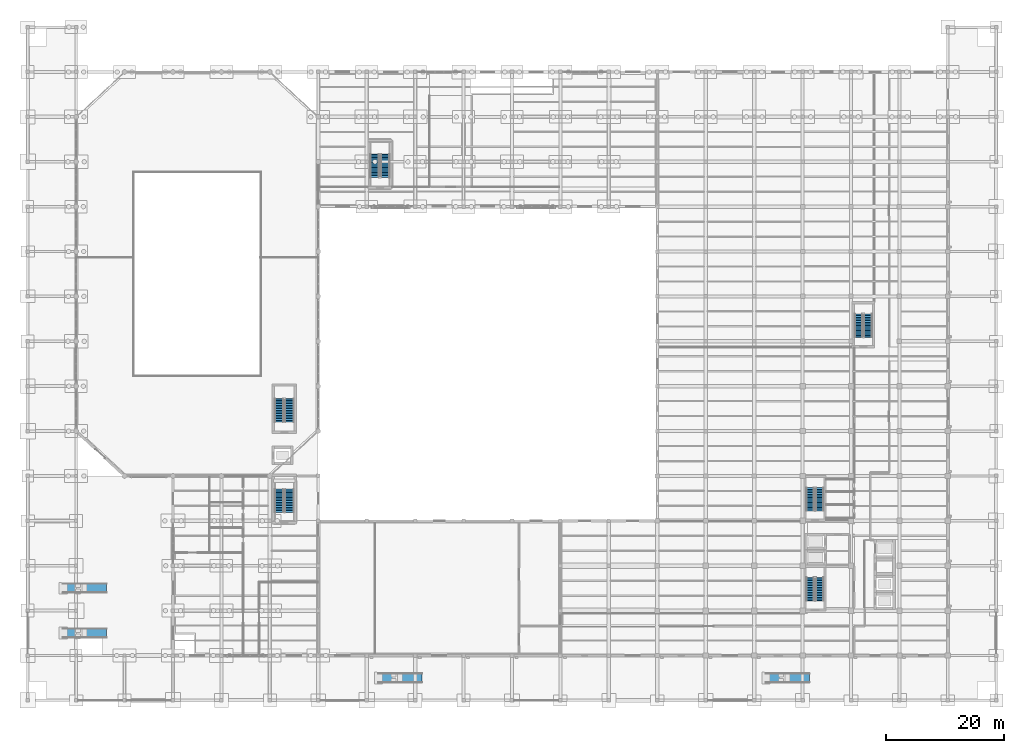
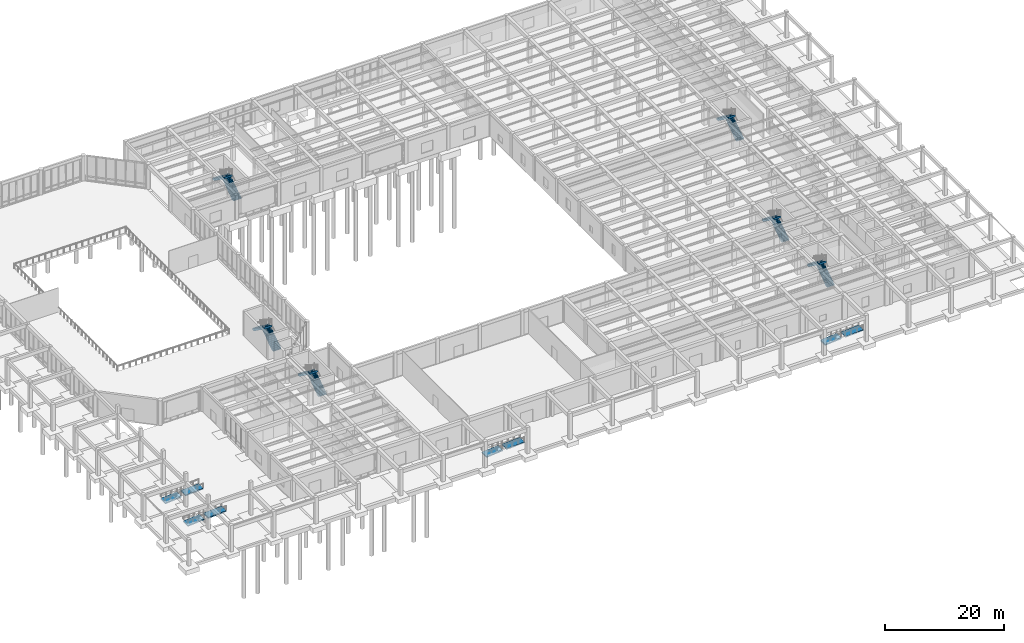
# One storey, part 50 of 64: 12 stair flights, 8 ramp flights, 10 elements without a shape of their own.
"""IFC4 building model written with IfcOpenShell, lengths in metres."""

from ifc_helpers import new_model, si_unit, direction, frame, origin, place, context, subcontext, project, spatial, polyline, outline, extrude, material, layer, layer_set, type_object, element, aggregate, save


model = new_model("IFC4")

# Units and contexts
model_context = context("Model", 3, precision=1e-05, world=origin(), true_north=direction((0.0, 1.0)))
body_context = subcontext(model_context, "Body", "Model", "MODEL_VIEW")
ifc_project = project(units=[si_unit("LENGTHUNIT", "METRE"), si_unit("AREAUNIT", "SQUARE_METRE"), si_unit("VOLUMEUNIT", "CUBIC_METRE"), si_unit("PLANEANGLEUNIT", "RADIAN"), si_unit("MASSUNIT", "GRAM", prefix="KILO")], contexts=[model_context])

# Site, building, storey
site_placement = place(None, origin())
site = spatial("IfcSite", under=ifc_project, at=site_placement, CompositionType="ELEMENT")
building_placement = place(site_placement, origin())
building = spatial("IfcBuilding", under=site, at=building_placement, Name="Qandaris Square Conservatory and Botanical Centre", CompositionType="ELEMENT")
storey_placement = place(building_placement, origin())
storey = spatial("IfcBuildingStorey", under=building, at=storey_placement, Name="L00", CompositionType="ELEMENT", Elevation=0.0)

# Stair, stair flights
ifc_material_1 = material(Name="Concrete C40/50", Category="concrete")
stair_type_1 = type_object("IfcStairType", Name="Core Escape Scissor Stair", PredefinedType="HALF_TURN_STAIR", material=ifc_material_1)
stair_1_placement = place(storey_placement, origin())
stair_1 = element("IfcStair", 1, at=stair_1_placement, inside=storey, type_object=stair_type_1, Name="L00 Tower South Exit Stair ST-1", PredefinedType="HALF_TURN_STAIR")
ifc_material_2 = material(Name="Precast concrete C40/50", Category="concrete")
stair_flight_type_1 = type_object("IfcStairFlightType", Name="RC Precast Stair Flight 1400mm", PredefinedType="STRAIGHT", material=ifc_material_2)
stair_flight_1_placement = place(storey_placement, frame((142.10009765625, 25.89990234375, 0.0), z_axis=(0.0, 0.0, 1.0), x_axis=(0.0, 1.0, 0.0)))
stair_flight_1 = element("IfcStairFlight", 2, at=stair_flight_1_placement, type_object=stair_flight_type_1, Name="ST-1 flight 1", NumberOfRisers=15, NumberOfTreads=14, PredefinedType="STRAIGHT", RiserHeight=0.18, TreadLength=0.28, context=body_context, shape_type="SweptSolid", body=[
    extrude(outline(polyline([(-0.034912109375, 0.0), (0.0, 0.0), (0.0, 0.179931640625), (0.280029296875, 0.179931640625), (0.280029296875, 0.360107421875), (0.56005859375, 0.360107421875), (0.56005859375, 0.5400390625), (0.840087890625, 0.5400390625), (0.840087890625, 0.719970703125), (1.1201171875, 0.719970703125), (1.1201171875, 0.89990234375), (1.39990234375, 0.89990234375), (1.39990234375, 1.080078125), (1.679931640625, 1.080078125), (1.679931640625, 1.260009765625), (1.9599609375, 1.260009765625), (1.9599609375, 1.43994140625), (2.239990234375, 1.43994140625), (2.239990234375, 1.6201171875), (2.52001953125, 1.6201171875), (2.52001953125, 1.800048828125), (2.800048828125, 1.800048828125), (2.800048828125, 1.97998046875), (3.080078125, 1.97998046875), (3.080078125, 2.159912109375), (3.360107421875, 2.159912109375), (3.360107421875, 2.340087890625), (3.639892578125, 2.340087890625), (3.639892578125, 2.52001953125), (3.919921875, 2.52001953125), (3.919921875, 2.699951171875), (3.954833984375, 2.699951171875), (3.954833984375, 2.341796875), (3.919921875, 2.341796875), (0.494873046875, -0.139892578125), (-0.034912109375, -0.139892578125), (-0.034912109375, 0.0)])), frame((0.0, 0.699951171875, 0.0), z_axis=(0.0, -1.0, 0.0), x_axis=(1.0, 0.0, 0.0)), (0.0, 0.0, 1.0), 1.39990234375),
])
stair_flight_2_placement = place(storey_placement, frame((140.5, 29.820068359375, 2.699951171875), z_axis=(0.0, 0.0, 1.0), x_axis=(0.0, -1.0, 0.0)))
stair_flight_2 = element("IfcStairFlight", 3, at=stair_flight_2_placement, type_object=stair_flight_type_1, Name="ST-1 flight 2", NumberOfRisers=15, NumberOfTreads=14, PredefinedType="STRAIGHT", RiserHeight=0.18, TreadLength=0.28, context=body_context, shape_type="SweptSolid", body=[
    extrude(outline(polyline([(-0.034912109375, 0.0), (0.0, 0.0), (0.0, 0.179931640625), (0.280029296875, 0.179931640625), (0.280029296875, 0.360107421875), (0.56005859375, 0.360107421875), (0.56005859375, 0.5400390625), (0.840087890625, 0.5400390625), (0.840087890625, 0.719970703125), (1.1201171875, 0.719970703125), (1.1201171875, 0.89990234375), (1.39990234375, 0.89990234375), (1.39990234375, 1.080078125), (1.679931640625, 1.080078125), (1.679931640625, 1.260009765625), (1.9599609375, 1.260009765625), (1.9599609375, 1.43994140625), (2.239990234375, 1.43994140625), (2.239990234375, 1.6201171875), (2.52001953125, 1.6201171875), (2.52001953125, 1.800048828125), (2.800048828125, 1.800048828125), (2.800048828125, 1.97998046875), (3.080078125, 1.97998046875), (3.080078125, 2.159912109375), (3.360107421875, 2.159912109375), (3.360107421875, 2.340087890625), (3.639892578125, 2.340087890625), (3.639892578125, 2.52001953125), (3.919921875, 2.52001953125), (3.919921875, 2.699951171875), (3.954833984375, 2.699951171875), (3.954833984375, 2.341796875), (3.919921875, 2.341796875), (0.494873046875, -0.139892578125), (-0.034912109375, -0.139892578125), (-0.034912109375, 0.0)])), frame((0.0, 0.699951171875, 0.0), z_axis=(0.0, -1.0, 0.0), x_axis=(1.0, 0.0, 0.0)), (0.0, 0.0, 1.0), 1.39990234375),
])
aggregate(stair_1, [stair_flight_1, stair_flight_2])

stair_2_placement = place(storey_placement, origin())
stair_2 = element("IfcStair", 4, at=stair_2_placement, inside=storey, type_object=stair_type_1, Name="L00 Tower North Exit Stair ST-2", PredefinedType="HALF_TURN_STAIR")
stair_flight_3_placement = place(storey_placement, frame((142.10009765625, 41.10009765625, 0.0), z_axis=(0.0, 0.0, 1.0), x_axis=(0.0, 1.0, 0.0)))
stair_flight_3 = element("IfcStairFlight", 5, at=stair_flight_3_placement, type_object=stair_flight_type_1, Name="ST-2 flight 1", NumberOfRisers=15, NumberOfTreads=14, PredefinedType="STRAIGHT", RiserHeight=0.18, TreadLength=0.28, context=body_context, shape_type="SweptSolid", body=[
    extrude(outline(polyline([(-0.034912109375, 0.0), (0.0, 0.0), (0.0, 0.179931640625), (0.280029296875, 0.179931640625), (0.280029296875, 0.360107421875), (0.56005859375, 0.360107421875), (0.56005859375, 0.5400390625), (0.840087890625, 0.5400390625), (0.840087890625, 0.719970703125), (1.1201171875, 0.719970703125), (1.1201171875, 0.89990234375), (1.39990234375, 0.89990234375), (1.39990234375, 1.080078125), (1.679931640625, 1.080078125), (1.679931640625, 1.260009765625), (1.9599609375, 1.260009765625), (1.9599609375, 1.43994140625), (2.239990234375, 1.43994140625), (2.239990234375, 1.6201171875), (2.52001953125, 1.6201171875), (2.52001953125, 1.800048828125), (2.800048828125, 1.800048828125), (2.800048828125, 1.97998046875), (3.080078125, 1.97998046875), (3.080078125, 2.159912109375), (3.360107421875, 2.159912109375), (3.360107421875, 2.340087890625), (3.639892578125, 2.340087890625), (3.639892578125, 2.52001953125), (3.919921875, 2.52001953125), (3.919921875, 2.699951171875), (3.954833984375, 2.699951171875), (3.954833984375, 2.341796875), (3.919921875, 2.341796875), (0.494873046875, -0.139892578125), (-0.034912109375, -0.139892578125), (-0.034912109375, 0.0)])), frame((0.0, 0.699951171875, 0.0), z_axis=(0.0, -1.0, 0.0), x_axis=(1.0, 0.0, 0.0)), (0.0, 0.0, 1.0), 1.39990234375),
])
stair_flight_4_placement = place(storey_placement, frame((140.5, 45.02001953125, 2.699951171875), z_axis=(0.0, 0.0, 1.0), x_axis=(0.0, -1.0, 0.0)))
stair_flight_4 = element("IfcStairFlight", 6, at=stair_flight_4_placement, type_object=stair_flight_type_1, Name="ST-2 flight 2", NumberOfRisers=15, NumberOfTreads=14, PredefinedType="STRAIGHT", RiserHeight=0.18, TreadLength=0.28, context=body_context, shape_type="SweptSolid", body=[
    extrude(outline(polyline([(-0.034912109375, 0.0), (0.0, 0.0), (0.0, 0.179931640625), (0.280029296875, 0.179931640625), (0.280029296875, 0.360107421875), (0.56005859375, 0.360107421875), (0.56005859375, 0.5400390625), (0.840087890625, 0.5400390625), (0.840087890625, 0.719970703125), (1.1201171875, 0.719970703125), (1.1201171875, 0.89990234375), (1.39990234375, 0.89990234375), (1.39990234375, 1.080078125), (1.679931640625, 1.080078125), (1.679931640625, 1.260009765625), (1.9599609375, 1.260009765625), (1.9599609375, 1.43994140625), (2.239990234375, 1.43994140625), (2.239990234375, 1.6201171875), (2.52001953125, 1.6201171875), (2.52001953125, 1.800048828125), (2.800048828125, 1.800048828125), (2.800048828125, 1.97998046875), (3.080078125, 1.97998046875), (3.080078125, 2.159912109375), (3.360107421875, 2.159912109375), (3.360107421875, 2.340087890625), (3.639892578125, 2.340087890625), (3.639892578125, 2.52001953125), (3.919921875, 2.52001953125), (3.919921875, 2.699951171875), (3.954833984375, 2.699951171875), (3.954833984375, 2.341796875), (3.919921875, 2.341796875), (0.494873046875, -0.139892578125), (-0.034912109375, -0.139892578125), (-0.034912109375, 0.0)])), frame((0.0, 0.699951171875, 0.0), z_axis=(0.0, -1.0, 0.0), x_axis=(1.0, 0.0, 0.0)), (0.0, 0.0, 1.0), 1.39990234375),
])
aggregate(stair_2, [stair_flight_3, stair_flight_4])

stair_3_placement = place(storey_placement, origin())
stair_3 = element("IfcStair", 7, at=stair_3_placement, inside=storey, type_object=stair_type_1, Name="L00 Herbarium North Exit Stair ST-3", PredefinedType="HALF_TURN_STAIR")
stair_flight_5_placement = place(storey_placement, frame((150.300048828125, 70.5, 0.0), z_axis=(0.0, 0.0, 1.0), x_axis=(0.0, 1.0, 0.0)))
stair_flight_5 = element("IfcStairFlight", 8, at=stair_flight_5_placement, type_object=stair_flight_type_1, Name="ST-3 flight 1", NumberOfRisers=15, NumberOfTreads=14, PredefinedType="STRAIGHT", RiserHeight=0.18, TreadLength=0.28, context=body_context, shape_type="SweptSolid", body=[
    extrude(outline(polyline([(-0.034912109375, 0.0), (0.0, 0.0), (0.0, 0.179931640625), (0.280029296875, 0.179931640625), (0.280029296875, 0.360107421875), (0.56005859375, 0.360107421875), (0.56005859375, 0.5400390625), (0.840087890625, 0.5400390625), (0.840087890625, 0.719970703125), (1.1201171875, 0.719970703125), (1.1201171875, 0.89990234375), (1.39990234375, 0.89990234375), (1.39990234375, 1.080078125), (1.679931640625, 1.080078125), (1.679931640625, 1.260009765625), (1.9599609375, 1.260009765625), (1.9599609375, 1.43994140625), (2.239990234375, 1.43994140625), (2.239990234375, 1.6201171875), (2.52001953125, 1.6201171875), (2.52001953125, 1.800048828125), (2.800048828125, 1.800048828125), (2.800048828125, 1.97998046875), (3.080078125, 1.97998046875), (3.080078125, 2.159912109375), (3.360107421875, 2.159912109375), (3.360107421875, 2.340087890625), (3.639892578125, 2.340087890625), (3.639892578125, 2.52001953125), (3.919921875, 2.52001953125), (3.919921875, 2.699951171875), (3.954833984375, 2.699951171875), (3.954833984375, 2.341796875), (3.919921875, 2.341796875), (0.494873046875, -0.139892578125), (-0.034912109375, -0.139892578125), (-0.034912109375, 0.0)])), frame((0.0, 0.699951171875, 0.0), z_axis=(0.0, -1.0, 0.0), x_axis=(1.0, 0.0, 0.0)), (0.0, 0.0, 1.0), 1.39990234375),
])
stair_flight_6_placement = place(storey_placement, frame((148.699951171875, 74.419921875, 2.699951171875), z_axis=(0.0, 0.0, 1.0), x_axis=(0.0, -1.0, 0.0)))
stair_flight_6 = element("IfcStairFlight", 9, at=stair_flight_6_placement, type_object=stair_flight_type_1, Name="ST-3 flight 2", NumberOfRisers=15, NumberOfTreads=14, PredefinedType="STRAIGHT", RiserHeight=0.18, TreadLength=0.28, context=body_context, shape_type="SweptSolid", body=[
    extrude(outline(polyline([(-0.034912109375, 0.0), (0.0, 0.0), (0.0, 0.179931640625), (0.280029296875, 0.179931640625), (0.280029296875, 0.360107421875), (0.56005859375, 0.360107421875), (0.56005859375, 0.5400390625), (0.840087890625, 0.5400390625), (0.840087890625, 0.719970703125), (1.1201171875, 0.719970703125), (1.1201171875, 0.89990234375), (1.39990234375, 0.89990234375), (1.39990234375, 1.080078125), (1.679931640625, 1.080078125), (1.679931640625, 1.260009765625), (1.9599609375, 1.260009765625), (1.9599609375, 1.43994140625), (2.239990234375, 1.43994140625), (2.239990234375, 1.6201171875), (2.52001953125, 1.6201171875), (2.52001953125, 1.800048828125), (2.800048828125, 1.800048828125), (2.800048828125, 1.97998046875), (3.080078125, 1.97998046875), (3.080078125, 2.159912109375), (3.360107421875, 2.159912109375), (3.360107421875, 2.340087890625), (3.639892578125, 2.340087890625), (3.639892578125, 2.52001953125), (3.919921875, 2.52001953125), (3.919921875, 2.699951171875), (3.954833984375, 2.699951171875), (3.954833984375, 2.341796875), (3.919921875, 2.341796875), (0.494873046875, -0.139892578125), (-0.034912109375, -0.139892578125), (-0.034912109375, 0.0)])), frame((0.0, 0.699951171875, 0.0), z_axis=(0.0, -1.0, 0.0), x_axis=(1.0, 0.0, 0.0)), (0.0, 0.0, 1.0), 1.39990234375),
])
aggregate(stair_3, [stair_flight_5, stair_flight_6])

stair_type_2 = type_object("IfcStairType", Name="Podium Grand Escape Stair 1550mm", PredefinedType="HALF_TURN_STAIR", material=ifc_material_1)
stair_4_placement = place(storey_placement, origin())
stair_4 = element("IfcStair", 10, at=stair_4_placement, inside=storey, type_object=stair_type_2, Name="L00 Visitor Wing Exit Stair ST-4", PredefinedType="HALF_TURN_STAIR")
stair_flight_type_2 = type_object("IfcStairFlightType", Name="RC Precast Stair Flight 1550mm", PredefinedType="STRAIGHT", material=ifc_material_2)
stair_flight_7_placement = place(storey_placement, frame((52.324951171875, 40.85009765625, 0.0), z_axis=(0.0, 0.0, 1.0), x_axis=(0.0, 1.0, 0.0)))
stair_flight_7 = element("IfcStairFlight", 11, at=stair_flight_7_placement, type_object=stair_flight_type_2, Name="ST-4 flight 1", NumberOfRisers=15, NumberOfTreads=14, PredefinedType="STRAIGHT", RiserHeight=0.18, TreadLength=0.28, context=body_context, shape_type="SweptSolid", body=[
    extrude(outline(polyline([(-0.034912109375, 0.0), (0.0, 0.0), (0.0, 0.179931640625), (0.280029296875, 0.179931640625), (0.280029296875, 0.360107421875), (0.56005859375, 0.360107421875), (0.56005859375, 0.5400390625), (0.840087890625, 0.5400390625), (0.840087890625, 0.719970703125), (1.1201171875, 0.719970703125), (1.1201171875, 0.89990234375), (1.39990234375, 0.89990234375), (1.39990234375, 1.080078125), (1.679931640625, 1.080078125), (1.679931640625, 1.260009765625), (1.9599609375, 1.260009765625), (1.9599609375, 1.43994140625), (2.239990234375, 1.43994140625), (2.239990234375, 1.6201171875), (2.52001953125, 1.6201171875), (2.52001953125, 1.800048828125), (2.800048828125, 1.800048828125), (2.800048828125, 1.97998046875), (3.080078125, 1.97998046875), (3.080078125, 2.159912109375), (3.360107421875, 2.159912109375), (3.360107421875, 2.340087890625), (3.639892578125, 2.340087890625), (3.639892578125, 2.52001953125), (3.919921875, 2.52001953125), (3.919921875, 2.699951171875), (3.954833984375, 2.699951171875), (3.954833984375, 2.341796875), (3.919921875, 2.341796875), (0.494873046875, -0.139892578125), (-0.034912109375, -0.139892578125), (-0.034912109375, 0.0)])), frame((0.0, 0.77490234375, 0.0), z_axis=(0.0, -1.0, 0.0), x_axis=(1.0, 0.0, 0.0)), (0.0, 0.0, 1.0), 1.550048828125),
])
stair_flight_8_placement = place(storey_placement, frame((50.574951171875, 44.77001953125, 2.699951171875), z_axis=(0.0, 0.0, 1.0), x_axis=(0.0, -1.0, 0.0)))
stair_flight_8 = element("IfcStairFlight", 12, at=stair_flight_8_placement, type_object=stair_flight_type_2, Name="ST-4 flight 2", NumberOfRisers=15, NumberOfTreads=14, PredefinedType="STRAIGHT", RiserHeight=0.18, TreadLength=0.28, context=body_context, shape_type="SweptSolid", body=[
    extrude(outline(polyline([(-0.034912109375, 0.0), (0.0, 0.0), (0.0, 0.179931640625), (0.280029296875, 0.179931640625), (0.280029296875, 0.360107421875), (0.56005859375, 0.360107421875), (0.56005859375, 0.5400390625), (0.840087890625, 0.5400390625), (0.840087890625, 0.719970703125), (1.1201171875, 0.719970703125), (1.1201171875, 0.89990234375), (1.39990234375, 0.89990234375), (1.39990234375, 1.080078125), (1.679931640625, 1.080078125), (1.679931640625, 1.260009765625), (1.9599609375, 1.260009765625), (1.9599609375, 1.43994140625), (2.239990234375, 1.43994140625), (2.239990234375, 1.6201171875), (2.52001953125, 1.6201171875), (2.52001953125, 1.800048828125), (2.800048828125, 1.800048828125), (2.800048828125, 1.97998046875), (3.080078125, 1.97998046875), (3.080078125, 2.159912109375), (3.360107421875, 2.159912109375), (3.360107421875, 2.340087890625), (3.639892578125, 2.340087890625), (3.639892578125, 2.52001953125), (3.919921875, 2.52001953125), (3.919921875, 2.699951171875), (3.954833984375, 2.699951171875), (3.954833984375, 2.341796875), (3.919921875, 2.341796875), (0.494873046875, -0.139892578125), (-0.034912109375, -0.139892578125), (-0.034912109375, 0.0)])), frame((0.0, 0.77490234375, 0.0), z_axis=(0.0, -1.0, 0.0), x_axis=(1.0, 0.0, 0.0)), (0.0, 0.0, 1.0), 1.550048828125),
])
aggregate(stair_4, [stair_flight_7, stair_flight_8])

stair_5_placement = place(storey_placement, origin())
stair_5 = element("IfcStair", 13, at=stair_5_placement, inside=storey, type_object=stair_type_2, Name="L00 Conservatory West Exit Stair ST-5", PredefinedType="HALF_TURN_STAIR")
stair_flight_9_placement = place(storey_placement, frame((52.324951171875, 56.14990234375, 0.0), z_axis=(0.0, 0.0, 1.0), x_axis=(0.0, 1.0, 0.0)))
stair_flight_9 = element("IfcStairFlight", 14, at=stair_flight_9_placement, type_object=stair_flight_type_2, Name="ST-5 flight 1", NumberOfRisers=15, NumberOfTreads=14, PredefinedType="STRAIGHT", RiserHeight=0.18, TreadLength=0.28, context=body_context, shape_type="SweptSolid", body=[
    extrude(outline(polyline([(-0.034912109375, 0.0), (0.0, 0.0), (0.0, 0.179931640625), (0.280029296875, 0.179931640625), (0.280029296875, 0.360107421875), (0.56005859375, 0.360107421875), (0.56005859375, 0.5400390625), (0.840087890625, 0.5400390625), (0.840087890625, 0.719970703125), (1.1201171875, 0.719970703125), (1.1201171875, 0.89990234375), (1.39990234375, 0.89990234375), (1.39990234375, 1.080078125), (1.679931640625, 1.080078125), (1.679931640625, 1.260009765625), (1.9599609375, 1.260009765625), (1.9599609375, 1.43994140625), (2.239990234375, 1.43994140625), (2.239990234375, 1.6201171875), (2.52001953125, 1.6201171875), (2.52001953125, 1.800048828125), (2.800048828125, 1.800048828125), (2.800048828125, 1.97998046875), (3.080078125, 1.97998046875), (3.080078125, 2.159912109375), (3.360107421875, 2.159912109375), (3.360107421875, 2.340087890625), (3.639892578125, 2.340087890625), (3.639892578125, 2.52001953125), (3.919921875, 2.52001953125), (3.919921875, 2.699951171875), (3.954833984375, 2.699951171875), (3.954833984375, 2.341796875), (3.919921875, 2.341796875), (0.494873046875, -0.139892578125), (-0.034912109375, -0.139892578125), (-0.034912109375, 0.0)])), frame((0.0, 0.77490234375, 0.0), z_axis=(0.0, -1.0, 0.0), x_axis=(1.0, 0.0, 0.0)), (0.0, 0.0, 1.0), 1.550048828125),
])
stair_flight_10_placement = place(storey_placement, frame((50.574951171875, 60.070068359375, 2.699951171875), z_axis=(0.0, 0.0, 1.0), x_axis=(0.0, -1.0, 0.0)))
stair_flight_10 = element("IfcStairFlight", 15, at=stair_flight_10_placement, type_object=stair_flight_type_2, Name="ST-5 flight 2", NumberOfRisers=15, NumberOfTreads=14, PredefinedType="STRAIGHT", RiserHeight=0.18, TreadLength=0.28, context=body_context, shape_type="SweptSolid", body=[
    extrude(outline(polyline([(-0.034912109375, 0.0), (0.0, 0.0), (0.0, 0.179931640625), (0.280029296875, 0.179931640625), (0.280029296875, 0.360107421875), (0.56005859375, 0.360107421875), (0.56005859375, 0.5400390625), (0.840087890625, 0.5400390625), (0.840087890625, 0.719970703125), (1.1201171875, 0.719970703125), (1.1201171875, 0.89990234375), (1.39990234375, 0.89990234375), (1.39990234375, 1.080078125), (1.679931640625, 1.080078125), (1.679931640625, 1.260009765625), (1.9599609375, 1.260009765625), (1.9599609375, 1.43994140625), (2.239990234375, 1.43994140625), (2.239990234375, 1.6201171875), (2.52001953125, 1.6201171875), (2.52001953125, 1.800048828125), (2.800048828125, 1.800048828125), (2.800048828125, 1.97998046875), (3.080078125, 1.97998046875), (3.080078125, 2.159912109375), (3.360107421875, 2.159912109375), (3.360107421875, 2.340087890625), (3.639892578125, 2.340087890625), (3.639892578125, 2.52001953125), (3.919921875, 2.52001953125), (3.919921875, 2.699951171875), (3.954833984375, 2.699951171875), (3.954833984375, 2.341796875), (3.919921875, 2.341796875), (0.494873046875, -0.139892578125), (-0.034912109375, -0.139892578125), (-0.034912109375, 0.0)])), frame((0.0, 0.77490234375, 0.0), z_axis=(0.0, -1.0, 0.0), x_axis=(1.0, 0.0, 0.0)), (0.0, 0.0, 1.0), 1.550048828125),
])
aggregate(stair_5, [stair_flight_9, stair_flight_10])

stair_6_placement = place(storey_placement, origin())
stair_6 = element("IfcStair", 16, at=stair_6_placement, inside=storey, type_object=stair_type_2, Name="L00 North Pavilion Exit Stair ST-6", PredefinedType="HALF_TURN_STAIR")
stair_flight_11_placement = place(storey_placement, frame((68.52490234375, 97.550048828125, 0.0), z_axis=(0.0, 0.0, 1.0), x_axis=(0.0, 1.0, 0.0)))
stair_flight_11 = element("IfcStairFlight", 17, at=stair_flight_11_placement, type_object=stair_flight_type_2, Name="ST-6 flight 1", NumberOfRisers=15, NumberOfTreads=14, PredefinedType="STRAIGHT", RiserHeight=0.18, TreadLength=0.28, context=body_context, shape_type="SweptSolid", body=[
    extrude(outline(polyline([(-0.034912109375, 0.0), (0.0, 0.0), (0.0, 0.179931640625), (0.280029296875, 0.179931640625), (0.280029296875, 0.360107421875), (0.56005859375, 0.360107421875), (0.56005859375, 0.5400390625), (0.840087890625, 0.5400390625), (0.840087890625, 0.719970703125), (1.1201171875, 0.719970703125), (1.1201171875, 0.89990234375), (1.39990234375, 0.89990234375), (1.39990234375, 1.080078125), (1.679931640625, 1.080078125), (1.679931640625, 1.260009765625), (1.9599609375, 1.260009765625), (1.9599609375, 1.43994140625), (2.239990234375, 1.43994140625), (2.239990234375, 1.6201171875), (2.52001953125, 1.6201171875), (2.52001953125, 1.800048828125), (2.800048828125, 1.800048828125), (2.800048828125, 1.97998046875), (3.080078125, 1.97998046875), (3.080078125, 2.159912109375), (3.360107421875, 2.159912109375), (3.360107421875, 2.340087890625), (3.639892578125, 2.340087890625), (3.639892578125, 2.52001953125), (3.919921875, 2.52001953125), (3.919921875, 2.699951171875), (3.954833984375, 2.699951171875), (3.954833984375, 2.341796875), (3.919921875, 2.341796875), (0.494873046875, -0.139892578125), (-0.034912109375, -0.139892578125), (-0.034912109375, 0.0)])), frame((0.0, 0.77490234375, 0.0), z_axis=(0.0, -1.0, 0.0), x_axis=(1.0, 0.0, 0.0)), (0.0, 0.0, 1.0), 1.550048828125),
])
stair_flight_12_placement = place(storey_placement, frame((66.77490234375, 101.469970703125, 2.699951171875), z_axis=(0.0, 0.0, 1.0), x_axis=(0.0, -1.0, 0.0)))
stair_flight_12 = element("IfcStairFlight", 18, at=stair_flight_12_placement, type_object=stair_flight_type_2, Name="ST-6 flight 2", NumberOfRisers=15, NumberOfTreads=14, PredefinedType="STRAIGHT", RiserHeight=0.18, TreadLength=0.28, context=body_context, shape_type="SweptSolid", body=[
    extrude(outline(polyline([(-0.034912109375, 0.0), (0.0, 0.0), (0.0, 0.179931640625), (0.280029296875, 0.179931640625), (0.280029296875, 0.360107421875), (0.56005859375, 0.360107421875), (0.56005859375, 0.5400390625), (0.840087890625, 0.5400390625), (0.840087890625, 0.719970703125), (1.1201171875, 0.719970703125), (1.1201171875, 0.89990234375), (1.39990234375, 0.89990234375), (1.39990234375, 1.080078125), (1.679931640625, 1.080078125), (1.679931640625, 1.260009765625), (1.9599609375, 1.260009765625), (1.9599609375, 1.43994140625), (2.239990234375, 1.43994140625), (2.239990234375, 1.6201171875), (2.52001953125, 1.6201171875), (2.52001953125, 1.800048828125), (2.800048828125, 1.800048828125), (2.800048828125, 1.97998046875), (3.080078125, 1.97998046875), (3.080078125, 2.159912109375), (3.360107421875, 2.159912109375), (3.360107421875, 2.340087890625), (3.639892578125, 2.340087890625), (3.639892578125, 2.52001953125), (3.919921875, 2.52001953125), (3.919921875, 2.699951171875), (3.954833984375, 2.699951171875), (3.954833984375, 2.341796875), (3.919921875, 2.341796875), (0.494873046875, -0.139892578125), (-0.034912109375, -0.139892578125), (-0.034912109375, 0.0)])), frame((0.0, 0.77490234375, 0.0), z_axis=(0.0, -1.0, 0.0), x_axis=(1.0, 0.0, 0.0)), (0.0, 0.0, 1.0), 1.550048828125),
])
aggregate(stair_6, [stair_flight_11, stair_flight_12])

# Ramp, ramp flights
ramp_type = type_object("IfcRampType", Name="Accessible Forecourt Stone Ramp", PredefinedType="TWO_STRAIGHT_RUN_RAMP", material=ifc_material_1)
ramp_1_placement = place(storey_placement, origin())
ramp_1 = element("IfcRamp", 19, at=ramp_1_placement, inside=storey, type_object=ramp_type, Name="Accessible Entrance Ramp RMP-01", PredefinedType="TWO_STRAIGHT_RUN_RAMP")
ifc_layer = layer(ifc_material_1, 0.219970703125)
ifc_layer_set = layer_set([ifc_layer], Name="Concrete C40/50")
ramp_flight_type = type_object("IfcRampFlightType", Name="Accessible Ramp Flight 1:12", PredefinedType="STRAIGHT", material=ifc_layer_set)
ramp_flight_1_placement = place(storey_placement, frame((14.0, 20.39990234375, -0.449951171875), z_axis=(0.0, 0.0, 1.0), x_axis=(1.0, 0.0, 0.0)))
ramp_flight_1 = element("IfcRampFlight", 20, at=ramp_flight_1_placement, type_object=ramp_flight_type, Name="RMP-01 Lower Flight", PredefinedType="STRAIGHT", context=body_context, shape_type="SweptSolid", body=[
    extrude(outline(polyline([(-0.034912109375, 0.0), (0.0, 0.0), (3.10009765625, 0.260009765625), (3.135009765625, 0.260009765625), (3.135009765625, 0.0400390625), (3.10009765625, 0.0400390625), (0.0, -0.219970703125), (-0.034912109375, -0.219970703125), (-0.034912109375, 0.0)])), frame((0.0, 0.800048828125, 0.0), z_axis=(0.0, -1.0, 0.0), x_axis=(1.0, 0.0, 0.0)), (0.0, 0.0, 1.0), 1.60009765625),
])
ramp_flight_2_placement = place(storey_placement, frame((17.89990234375, 20.39990234375, -0.18994140625), z_axis=(0.0, 0.0, 1.0), x_axis=(1.0, 0.0, 0.0)))
ramp_flight_2 = element("IfcRampFlight", 21, at=ramp_flight_2_placement, type_object=ramp_flight_type, Name="RMP-01 Upper Flight", PredefinedType="STRAIGHT", context=body_context, shape_type="SweptSolid", body=[
    extrude(outline(polyline([(-0.034912109375, 0.0), (0.0, 0.0), (3.449951171875, 0.18994140625), (3.48486328125, 0.18994140625), (3.48486328125, -0.030029296875), (3.449951171875, -0.030029296875), (0.0, -0.219970703125), (-0.034912109375, -0.219970703125), (-0.034912109375, 0.0)])), frame((0.0, 0.800048828125, 0.0), z_axis=(0.0, -1.0, 0.0), x_axis=(1.0, 0.0, 0.0)), (0.0, 0.0, 1.0), 1.60009765625),
])
aggregate(ramp_1, [ramp_flight_1, ramp_flight_2])

ramp_2_placement = place(storey_placement, origin())
ramp_2 = element("IfcRamp", 22, at=ramp_2_placement, inside=storey, type_object=ramp_type, Name="Accessible Entrance Ramp RMP-02", PredefinedType="TWO_STRAIGHT_RUN_RAMP")
ramp_flight_3_placement = place(storey_placement, frame((14.0, 28.0, -0.449951171875), z_axis=(0.0, 0.0, 1.0), x_axis=(1.0, 0.0, 0.0)))
ramp_flight_3 = element("IfcRampFlight", 23, at=ramp_flight_3_placement, type_object=ramp_flight_type, Name="RMP-02 Lower Flight", PredefinedType="STRAIGHT", context=body_context, shape_type="SweptSolid", body=[
    extrude(outline(polyline([(-0.034912109375, 0.0), (0.0, 0.0), (3.10009765625, 0.260009765625), (3.135009765625, 0.260009765625), (3.135009765625, 0.0400390625), (3.10009765625, 0.0400390625), (0.0, -0.219970703125), (-0.034912109375, -0.219970703125), (-0.034912109375, 0.0)])), frame((0.0, 0.800048828125, 0.0), z_axis=(0.0, -1.0, 0.0), x_axis=(1.0, 0.0, 0.0)), (0.0, 0.0, 1.0), 1.60009765625),
])
ramp_flight_4_placement = place(storey_placement, frame((17.89990234375, 28.0, -0.18994140625), z_axis=(0.0, 0.0, 1.0), x_axis=(1.0, 0.0, 0.0)))
ramp_flight_4 = element("IfcRampFlight", 24, at=ramp_flight_4_placement, type_object=ramp_flight_type, Name="RMP-02 Upper Flight", PredefinedType="STRAIGHT", context=body_context, shape_type="SweptSolid", body=[
    extrude(outline(polyline([(-0.034912109375, 0.0), (0.0, 0.0), (3.449951171875, 0.18994140625), (3.48486328125, 0.18994140625), (3.48486328125, -0.030029296875), (3.449951171875, -0.030029296875), (0.0, -0.219970703125), (-0.034912109375, -0.219970703125), (-0.034912109375, 0.0)])), frame((0.0, 0.800048828125, 0.0), z_axis=(0.0, -1.0, 0.0), x_axis=(1.0, 0.0, 0.0)), (0.0, 0.0, 1.0), 1.60009765625),
])
aggregate(ramp_2, [ramp_flight_3, ramp_flight_4])

ramp_3_placement = place(storey_placement, origin())
ramp_3 = element("IfcRamp", 25, at=ramp_3_placement, inside=storey, type_object=ramp_type, Name="Accessible Entrance Ramp RMP-03", PredefinedType="TWO_STRAIGHT_RUN_RAMP")
ramp_flight_5_placement = place(storey_placement, frame((67.39990234375, 12.800048828125, -0.449951171875), z_axis=(0.0, 0.0, 1.0), x_axis=(1.0, 0.0, 0.0)))
ramp_flight_5 = element("IfcRampFlight", 26, at=ramp_flight_5_placement, type_object=ramp_flight_type, Name="RMP-03 Lower Flight", PredefinedType="STRAIGHT", context=body_context, shape_type="SweptSolid", body=[
    extrude(outline(polyline([(-0.034912109375, 0.0), (0.0, 0.0), (3.10009765625, 0.260009765625), (3.135009765625, 0.260009765625), (3.135009765625, 0.0400390625), (3.10009765625, 0.0400390625), (0.0, -0.219970703125), (-0.034912109375, -0.219970703125), (-0.034912109375, 0.0)])), frame((0.0, 0.800048828125, 0.0), z_axis=(0.0, -1.0, 0.0), x_axis=(1.0, 0.0, 0.0)), (0.0, 0.0, 1.0), 1.60009765625),
])
ramp_flight_6_placement = place(storey_placement, frame((71.300048828125, 12.800048828125, -0.18994140625), z_axis=(0.0, 0.0, 1.0), x_axis=(1.0, 0.0, 0.0)))
ramp_flight_6 = element("IfcRampFlight", 27, at=ramp_flight_6_placement, type_object=ramp_flight_type, Name="RMP-03 Upper Flight", PredefinedType="STRAIGHT", context=body_context, shape_type="SweptSolid", body=[
    extrude(outline(polyline([(-0.034912109375, 0.0), (0.0, 0.0), (3.449951171875, 0.18994140625), (3.48486328125, 0.18994140625), (3.48486328125, -0.030029296875), (3.449951171875, -0.030029296875), (0.0, -0.219970703125), (-0.034912109375, -0.219970703125), (-0.034912109375, 0.0)])), frame((0.0, 0.800048828125, 0.0), z_axis=(0.0, -1.0, 0.0), x_axis=(1.0, 0.0, 0.0)), (0.0, 0.0, 1.0), 1.60009765625),
])
aggregate(ramp_3, [ramp_flight_5, ramp_flight_6])

ramp_4_placement = place(storey_placement, origin())
ramp_4 = element("IfcRamp", 28, at=ramp_4_placement, inside=storey, type_object=ramp_type, Name="Accessible Entrance Ramp RMP-04", PredefinedType="TWO_STRAIGHT_RUN_RAMP")
ramp_flight_7_placement = place(storey_placement, frame((133.0, 12.800048828125, -0.449951171875), z_axis=(0.0, 0.0, 1.0), x_axis=(1.0, 0.0, 0.0)))
ramp_flight_7 = element("IfcRampFlight", 29, at=ramp_flight_7_placement, type_object=ramp_flight_type, Name="RMP-04 Lower Flight", PredefinedType="STRAIGHT", context=body_context, shape_type="SweptSolid", body=[
    extrude(outline(polyline([(-0.034912109375, 0.0), (0.0, 0.0), (3.10009765625, 0.260009765625), (3.135009765625, 0.260009765625), (3.135009765625, 0.0400390625), (3.10009765625, 0.0400390625), (0.0, -0.219970703125), (-0.034912109375, -0.219970703125), (-0.034912109375, 0.0)])), frame((0.0, 0.800048828125, 0.0), z_axis=(0.0, -1.0, 0.0), x_axis=(1.0, 0.0, 0.0)), (0.0, 0.0, 1.0), 1.60009765625),
])
ramp_flight_8_placement = place(storey_placement, frame((136.89990234375, 12.800048828125, -0.18994140625), z_axis=(0.0, 0.0, 1.0), x_axis=(1.0, 0.0, 0.0)))
ramp_flight_8 = element("IfcRampFlight", 30, at=ramp_flight_8_placement, type_object=ramp_flight_type, Name="RMP-04 Upper Flight", PredefinedType="STRAIGHT", context=body_context, shape_type="SweptSolid", body=[
    extrude(outline(polyline([(-0.034912109375, 0.0), (0.0, 0.0), (3.449951171875, 0.18994140625), (3.48486328125, 0.18994140625), (3.48486328125, -0.030029296875), (3.449951171875, -0.030029296875), (0.0, -0.219970703125), (-0.034912109375, -0.219970703125), (-0.034912109375, 0.0)])), frame((0.0, 0.800048828125, 0.0), z_axis=(0.0, -1.0, 0.0), x_axis=(1.0, 0.0, 0.0)), (0.0, 0.0, 1.0), 1.60009765625),
])
aggregate(ramp_4, [ramp_flight_7, ramp_flight_8])

save(model, "model.ifc")
